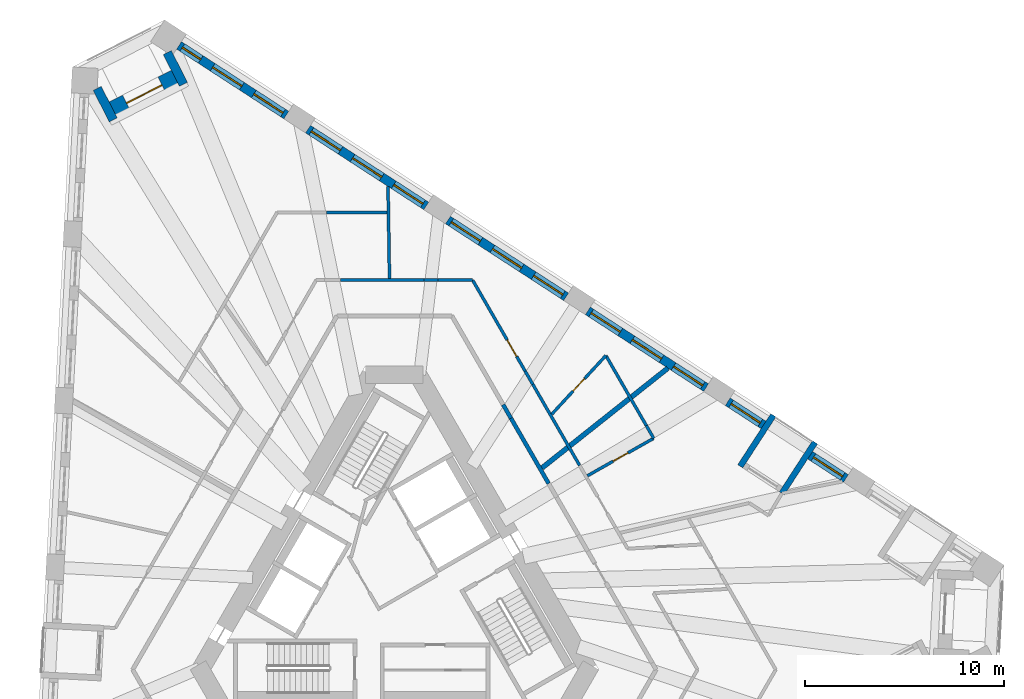
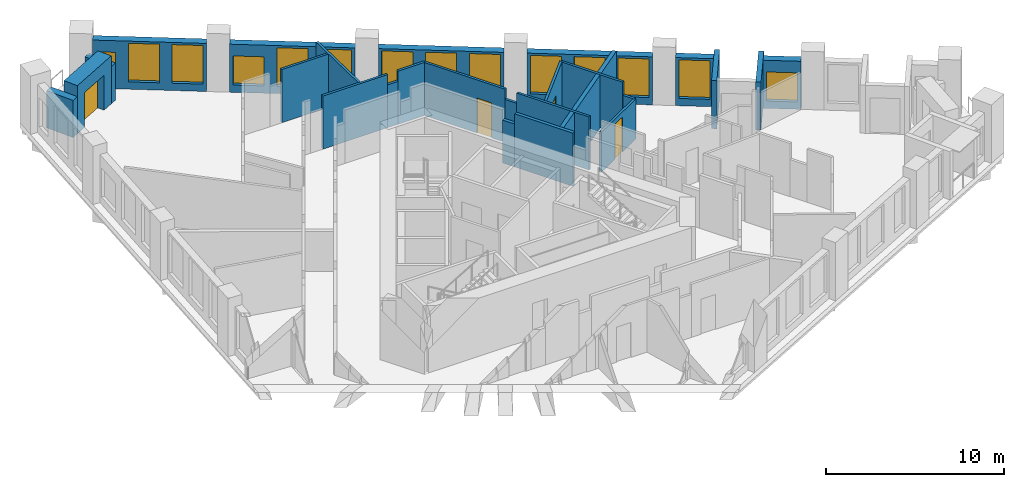
# One storey, part 8 of 13: 26 walls, 14 windows, 4 doors, 18 openings.
"""IFC4 building model written with IfcOpenShell, lengths in metres."""

import ifcopenshell
import ifcopenshell.guid

model = None  # the IFC model being written
_history = None  # IfcOwnerHistory: only IFC2X3 demands one
_inside = {}  # id of a spatial element -> (the spatial element, [elements in it])
_under = {}  # id of a project, library or spatial element -> (it, [spatial elements below it])
_declared = {}  # id of a project -> (the project, [libraries it declares])
_typed = {}  # id of a type object -> (the type object, [elements of that type])
_made_of = {}  # id of a material, layer set ... -> (it, [elements and type objects made of it])


def new_model(schema):
    """Start an empty IFC model of exactly this schema.

    Asked for "IFC4X3", IfcOpenShell would pick the latest addendum, in which some entities
    have other attributes; the version numbers below select the first issue.
    IFC2X3 requires an IfcOwnerHistory on every rooted entity: one is made here for all.
    """
    global model, _history
    if schema == "IFC4X3":
        model = ifcopenshell.file(schema_version=(4, 3, 0, 0))
    else:
        model = ifcopenshell.file(schema=schema)
    _inside.clear()
    _under.clear()
    _declared.clear()
    _typed.clear()
    _made_of.clear()
    _history = None
    if model.schema == "IFC2X3":
        org = make("IfcOrganization", Name="unknown")
        user = make(
            "IfcPersonAndOrganization",
            ThePerson=make("IfcPerson", FamilyName="unknown"),
            TheOrganization=org,
        )
        app = make(
            "IfcApplication",
            ApplicationDeveloper=org,
            Version="unknown",
            ApplicationFullName="unknown",
            ApplicationIdentifier="unknown",
        )
        _history = make(
            "IfcOwnerHistory",
            OwningUser=user,
            OwningApplication=app,
            ChangeAction="ADDED",
            CreationDate=0,
        )
    return model


def make(cls, **values):
    """One entity of the class cls with the attributes given. An attribute that is None is left unset."""
    return model.create_entity(
        cls, **{name: value for name, value in values.items() if value is not None}
    )


def rooted(cls, **values):
    """An entity with a GlobalId (a new one), such as an element, a storey or a relation."""
    return make(cls, GlobalId=ifcopenshell.guid.new(), OwnerHistory=_history, **values)


def si_unit(unit_type, name, prefix=None):
    """IfcSIUnit, for example si_unit("LENGTHUNIT", "METRE", prefix="MILLI")."""
    return make("IfcSIUnit", UnitType=unit_type, Prefix=prefix, Name=name)


def assignment(units):
    """IfcUnitAssignment: the units of a project."""
    return None if units is None else make("IfcUnitAssignment", Units=units)


def point(xyz):
    """IfcCartesianPoint."""
    return None if xyz is None else make("IfcCartesianPoint", Coordinates=xyz)


def direction(xyz):
    """IfcDirection."""
    return None if xyz is None else make("IfcDirection", DirectionRatios=xyz)


def frame(location, z_axis=None, x_axis=None):
    """IfcAxis2Placement3D, a coordinate frame: its origin and axes. An axis left out is left unset."""
    return make(
        "IfcAxis2Placement3D",
        Location=point(location),
        Axis=direction(z_axis),
        RefDirection=direction(x_axis),
    )


def frame_2d(location, x_axis=None):
    """IfcAxis2Placement2D, a coordinate frame in the plane: its origin and x axis."""
    return make(
        "IfcAxis2Placement2D", Location=point(location), RefDirection=direction(x_axis)
    )


def origin():
    """The frame at (0, 0, 0) with its axes left unset."""
    return frame((0.0, 0.0, 0.0))


def place(relative_to, where):
    """IfcLocalPlacement: puts the frame where relative to a parent placement (None: the world)."""
    return make(
        "IfcLocalPlacement", PlacementRelTo=relative_to, RelativePlacement=where
    )


def context(
    kind, dimensions, precision=None, world=None, true_north=None, identifier=None
):
    """IfcGeometricRepresentationContext, for example the 3D "Model" context."""
    return make(
        "IfcGeometricRepresentationContext",
        ContextIdentifier=identifier,
        ContextType=kind,
        CoordinateSpaceDimension=dimensions,
        Precision=precision,
        WorldCoordinateSystem=world,
        TrueNorth=true_north,
    )


def subcontext(parent, identifier, kind, view, scale=None):
    """IfcGeometricRepresentationSubContext, for example "Body" below "Model"."""
    return make(
        "IfcGeometricRepresentationSubContext",
        ContextIdentifier=identifier,
        ContextType=kind,
        ParentContext=parent,
        TargetScale=scale,
        TargetView=view,
    )


def project(units=None, contexts=None):
    """IfcProject with its units and contexts."""
    return rooted(
        "IfcProject",
        Name="project",
        RepresentationContexts=contexts,
        UnitsInContext=assignment(units),
    )


def spatial(cls, under=None, at=None, **own):
    """A site, building, storey or space (cls), placed at a placement, below another one or the project."""
    s = rooted(cls, ObjectPlacement=at, **own)
    if under is not None:
        _under.setdefault(under.id(), (under, []))[1].append(s)
    return s


def profile(cls, at=None, kind="AREA", **sizes):
    """A parametric profile (cls). Its sizes go by their IFC names, for example OverallWidth=200.0."""
    return make(cls, ProfileType=kind, Position=at, **sizes)


def rectangle(**sizes):
    """IfcRectangleProfileDef."""
    return profile("IfcRectangleProfileDef", **sizes)


def extrude(swept, where, along, depth):
    """IfcExtrudedAreaSolid: the profile swept, set in the frame where, extruded along a direction by depth."""
    return make(
        "IfcExtrudedAreaSolid",
        SweptArea=swept,
        Position=where,
        ExtrudedDirection=direction(along),
        Depth=depth,
    )


def shape(context_of_items, identifier, shape_type, items):
    """IfcShapeRepresentation: the items that make up one representation, for example the "Body"."""
    return make(
        "IfcShapeRepresentation",
        ContextOfItems=context_of_items,
        RepresentationIdentifier=identifier,
        RepresentationType=shape_type,
        Items=items,
    )


def material(Name=None, Category=None):
    """IfcMaterial."""
    return make("IfcMaterial", Name=Name, Category=Category)


def layer(
    of_material, thickness, ventilated=None, Name=None, Category=None, Priority=None
):
    """IfcMaterialLayer: one layer of a wall or slab, of a material (None: an air gap)."""
    return make(
        "IfcMaterialLayer",
        Material=of_material,
        LayerThickness=thickness,
        IsVentilated=ventilated,
        Name=Name,
        Category=Category,
        Priority=Priority,
    )


def layer_set(layers, Name=None):
    """IfcMaterialLayerSet."""
    return make("IfcMaterialLayerSet", MaterialLayers=layers, LayerSetName=Name)


def made_of(thing, what):
    """Note that an element or type object is made of a material, layer set ...; save() writes the relation."""
    if what is not None:
        _made_of.setdefault(what.id(), (what, []))[1].append(thing)
    return thing


def type_object(cls, material=None, **own):
    """A type object (cls), such as IfcWallType, which elements share."""
    return made_of(rooted(cls, **own), material)


def element(
    cls,
    number,
    at=None,
    inside=None,
    cuts=None,
    type_object=None,
    material=None,
    context=None,
    identifier="Body",
    shape_type=None,
    held_by="IfcProductDefinitionShape",
    body=None,
    shapes=None,
    **own,
):
    """One element of the class cls, such as IfcWall. Its Tag is "e" and its number.

    at: its placement. inside: the storey or other place that contains it. cuts: it is an
    opening in that element (IfcRelVoidsElement). A single representation is given by context,
    identifier, shape_type and body (its items); several are given by shapes. held_by: the class
    of the entity that holds the representations. save() writes the other relations.
    """
    e = rooted(cls, Tag="e%d" % number, ObjectPlacement=at, **own)
    if body is not None:
        shapes = [shape(context, identifier, shape_type, body)]
    if shapes is not None:
        e.Representation = make(held_by, Representations=shapes)
    if inside is not None:
        _inside.setdefault(inside.id(), (inside, []))[1].append(e)
    if cuts is not None:
        rooted(
            "IfcRelVoidsElement", RelatingBuildingElement=cuts, RelatedOpeningElement=e
        )
    if type_object is not None:
        _typed.setdefault(type_object.id(), (type_object, []))[1].append(e)
    return made_of(e, material)


def fill(opening, filler):
    """IfcRelFillsElement: the door or window that sits in an opening."""
    return rooted(
        "IfcRelFillsElement",
        RelatingOpeningElement=opening,
        RelatedBuildingElement=filler,
    )


def aggregate(whole, parts):
    """IfcRelAggregates: a whole, such as a stair, and the parts it consists of."""
    return rooted("IfcRelAggregates", RelatingObject=whole, RelatedObjects=parts)


def save(model, path):
    """Write the relations noted so far, then the file.

    IfcRelAggregates (storeys below a building ...), IfcRelContainedInSpatialStructure (elements
    in a storey), IfcRelDefinesByType, IfcRelAssociatesMaterial and IfcRelDeclares: one each for
    every whole, place, type object, material and project.
    """
    for whole, parts in _under.values():
        aggregate(whole, parts)
    for where, things in _inside.values():
        rooted(
            "IfcRelContainedInSpatialStructure",
            RelatedElements=things,
            RelatingStructure=where,
        )
    for kind, things in _typed.values():
        rooted("IfcRelDefinesByType", RelatedObjects=things, RelatingType=kind)
    for what, things in _made_of.values():
        rooted("IfcRelAssociatesMaterial", RelatedObjects=things, RelatingMaterial=what)
    for by, libraries in _declared.values():
        rooted("IfcRelDeclares", RelatingContext=by, RelatedDefinitions=libraries)
    model.write(path)


model = new_model("IFC4")

# Units and contexts
model_context = context("Model", 3, precision=1e-05, world=origin(), true_north=direction((0.0, 1.0)))
body_context = subcontext(model_context, "Body", "Model", "MODEL_VIEW")
ifc_project = project(units=[si_unit("LENGTHUNIT", "METRE"), si_unit("AREAUNIT", "SQUARE_METRE"), si_unit("VOLUMEUNIT", "CUBIC_METRE"), si_unit("PLANEANGLEUNIT", "RADIAN"), si_unit("MASSUNIT", "GRAM", prefix="KILO")], contexts=[model_context])

# Site, building, storey
site_placement = place(None, origin())
site = spatial("IfcSite", under=ifc_project, at=site_placement, CompositionType="ELEMENT")
building_placement = place(site_placement, origin())
building = spatial("IfcBuilding", under=site, at=building_placement, Name="Tramontana Tower", CompositionType="ELEMENT")
storey_placement = place(building_placement, frame((0.0, 0.0, 153.60009765625)))
storey = spatial("IfcBuildingStorey", under=building, at=storey_placement, Name="L35", CompositionType="ELEMENT", Elevation=153.60009765625)

# Walls
ifc_material_1 = material(Name="Blockwork", Category="masonry")
ifc_layer_1 = layer(ifc_material_1, 0.199951171875)
ifc_layer_set_1 = layer_set([ifc_layer_1], Name="ENTRY WALL 200")
wall_type_1 = type_object("IfcWallType", Name="ENTRY WALL 200", PredefinedType="SOLIDWALL", material=ifc_layer_set_1)
wall_1_placement = place(storey_placement, frame((5.457763671875, 9.046875, 0.0), z_axis=(0.0, 0.0, 1.0), x_axis=(0.499982474044, -0.866035522163, 0.0)))
element("IfcWall", 1, at=wall_1_placement, inside=storey, type_object=wall_type_1, Name="Wall v32-ew0-1", PredefinedType="SOLIDWALL", context=body_context, shape_type="SweptSolid", body=[
    extrude(rectangle(XDim=0.78564453125, YDim=0.199951171875, at=frame_2d((0.392822265625, 0.0))), origin(), (0.0, 0.0, 1.0), 2.949951171875),
])
wall_2_placement = place(storey_placement, frame((5.8505859375, 8.366455078125, 0.0), z_axis=(0.0, 0.0, 1.0), x_axis=(0.499998034377, -0.866026538634, 0.0)))
element("IfcWall", 2, at=wall_2_placement, inside=storey, type_object=wall_type_1, Name="Wall v32-ew0-2", PredefinedType="SOLIDWALL", context=body_context, shape_type="SweptSolid", body=[
    extrude(rectangle(XDim=3.783203125, YDim=0.199951171875, at=frame_2d((1.8916015625, 0.0))), origin(), (0.0, 0.0, 1.0), 3.64990234375),
])

# Wall, opening, window
ifc_material_2 = material(Name="Precast concrete 60 MPa", Category="concrete")
ifc_layer_2 = layer(ifc_material_2, 0.449951171875)
ifc_layer_set_2 = layer_set([ifc_layer_2], Name="Precast concrete 60 MPa, 450 mm")
wall_type_2 = type_object("IfcWallType", Name="EW1 Stone-faced precast wall 450", PredefinedType="SOLIDWALL", material=ifc_layer_set_2)
wall_3_placement = place(storey_placement, frame((22.660400390625, 5.345703125, 0.0), z_axis=(0.0, 0.0, 1.0), x_axis=(-0.838675466927, 0.544631491171, 0.0)))
wall_3 = element("IfcWall", 3, at=wall_3_placement, inside=storey, type_object=wall_type_2, Name="External wall L35 face 2 bay 2", PredefinedType="SOLIDWALL", context=body_context, shape_type="SweptSolid", body=[
    extrude(rectangle(XDim=2.140380859375, YDim=0.449951171875, at=frame_2d((1.0703125, 0.0))), origin(), (0.0, 0.0, 1.0), 3.2998046875),
])
opening_1_placement = place(wall_3_placement, frame((0.1953125, 0.0, 0.5)))
opening_1 = element("IfcOpeningElement", 4, at=opening_1_placement, cuts=wall_3, Name="Opening M2L", PredefinedType="OPENING", context=body_context, shape_type="SweptSolid", body=[
    extrude(rectangle(XDim=1.75, YDim=2.0, at=frame_2d((0.875, 1.0))), frame((0.0, 0.23486328125, 0.0), z_axis=(0.0, -1.0, 0.0), x_axis=(1.0, 0.0, 0.0)), (0.0, 0.0, 1.0), 0.469970703125),
])
ifc_material_3 = material(Name="Aluminum frame, double glazing unit", Category="aluminium")
window_type_1 = type_object("IfcWindowType", Name="M2L Window 1.75 x 2", PartitioningType="SINGLE_PANEL", PredefinedType="WINDOW", material=ifc_material_3)
window_1_placement = place(opening_1_placement, origin())
window_1 = element("IfcWindow", 5, at=window_1_placement, inside=storey, type_object=window_type_1, Name="Window M2L L35 face 2 module 4", OverallHeight=2.0, OverallWidth=1.75, PartitioningType="SINGLE_PANEL", PredefinedType="WINDOW", context=body_context, shape_type="SweptSolid", body=[
    extrude(rectangle(XDim=1.75, YDim=2.0, at=frame_2d((0.875, 1.0))), frame((0.0, 0.030029296875, 0.0), z_axis=(0.0, -1.0, 0.0), x_axis=(1.0, 0.0, 0.0)), (0.0, 0.0, 1.0), 0.06005859375),
])
fill(opening_1, window_1)

wall_4_placement = place(storey_placement, frame((18.52490234375, 8.03125, 0.0), z_axis=(0.0, 0.0, 1.0), x_axis=(-0.838675466927, 0.544631491171, 0.0)))
wall_4 = element("IfcWall", 6, at=wall_4_placement, inside=storey, type_object=wall_type_2, Name="External wall L35 face 2 bay 2", PredefinedType="SOLIDWALL", context=body_context, shape_type="SweptSolid", body=[
    extrude(rectangle(XDim=2.140380859375, YDim=0.449951171875, at=frame_2d((1.0703125, 0.0))), origin(), (0.0, 0.0, 1.0), 3.2998046875),
])
opening_2_placement = place(wall_4_placement, frame((0.1953125, 0.0, 0.5)))
opening_2 = element("IfcOpeningElement", 7, at=opening_2_placement, cuts=wall_4, Name="Opening M2", PredefinedType="OPENING", context=body_context, shape_type="SweptSolid", body=[
    extrude(rectangle(XDim=1.75, YDim=2.64990234375, at=frame_2d((0.875, 1.324951171875))), frame((0.0, 0.23486328125, 0.0), z_axis=(0.0, -1.0, 0.0), x_axis=(1.0, 0.0, 0.0)), (0.0, 0.0, 1.0), 0.469970703125),
])
ifc_material_4 = material(Name="Aluminum frame, double glazing unit", Category="aluminium")
window_type_2 = type_object("IfcWindowType", Name="M2 Window 1.75 x 2.65", PartitioningType="SINGLE_PANEL", PredefinedType="WINDOW", material=ifc_material_4)
window_2_placement = place(opening_2_placement, origin())
window_2 = element("IfcWindow", 8, at=window_2_placement, inside=storey, type_object=window_type_2, Name="Window M2 L35 face 2 module 6", OverallHeight=2.64990234375, OverallWidth=1.75, PartitioningType="SINGLE_PANEL", PredefinedType="WINDOW", context=body_context, shape_type="SweptSolid", body=[
    extrude(rectangle(XDim=1.75, YDim=2.64990234375, at=frame_2d((0.875, 1.324951171875))), frame((0.0, 0.030029296875, 0.0), z_axis=(0.0, -1.0, 0.0), x_axis=(1.0, 0.0, 0.0)), (0.0, 0.0, 1.0), 0.06005859375),
])
fill(opening_2, window_2)

# Wall, openings, windows
wall_5_placement = place(storey_placement, frame((15.639404296875, 9.9052734375, 0.0), z_axis=(0.0, 0.0, 1.0), x_axis=(-0.838677021821, 0.54462909679, 0.0)))
wall_5 = element("IfcWall", 9, at=wall_5_placement, inside=storey, type_object=wall_type_2, Name="External wall L35 face 2 bay 3", PredefinedType="SOLIDWALL", context=body_context, shape_type="SweptSolid", body=[
    extrude(rectangle(XDim=7.071533203125, YDim=0.449951171875, at=frame_2d((3.53564453125, 0.0))), origin(), (0.0, 0.0, 1.0), 3.2998046875),
])
opening_3_placement = place(wall_5_placement, frame((0.1953125, 0.0, 0.5)))
opening_3 = element("IfcOpeningElement", 10, at=opening_3_placement, cuts=wall_5, Name="Opening M2", PredefinedType="OPENING", context=body_context, shape_type="SweptSolid", body=[
    extrude(rectangle(XDim=1.75, YDim=2.64990234375, at=frame_2d((0.875, 1.324951171875))), frame((0.0, 0.23486328125, 0.0), z_axis=(0.0, -1.0, 0.0), x_axis=(1.0, 0.0, 0.0)), (0.0, 0.0, 1.0), 0.469970703125),
])
opening_4_placement = place(wall_5_placement, frame((2.660888671875, 0.0, 0.5)))
opening_4 = element("IfcOpeningElement", 11, at=opening_4_placement, cuts=wall_5, Name="Opening M2", PredefinedType="OPENING", context=body_context, shape_type="SweptSolid", body=[
    extrude(rectangle(XDim=1.75, YDim=2.64990234375, at=frame_2d((0.875, 1.324951171875))), frame((0.0, 0.23486328125, 0.0), z_axis=(0.0, -1.0, 0.0), x_axis=(1.0, 0.0, 0.0)), (0.0, 0.0, 1.0), 0.469970703125),
])
opening_5_placement = place(wall_5_placement, frame((5.126220703125, 0.0, 0.5)))
opening_5 = element("IfcOpeningElement", 12, at=opening_5_placement, cuts=wall_5, Name="Opening M2", PredefinedType="OPENING", context=body_context, shape_type="SweptSolid", body=[
    extrude(rectangle(XDim=1.75, YDim=2.64990234375, at=frame_2d((0.875, 1.324951171875))), frame((0.0, 0.23486328125, 0.0), z_axis=(0.0, -1.0, 0.0), x_axis=(1.0, 0.0, 0.0)), (0.0, 0.0, 1.0), 0.469970703125),
])
window_3_placement = place(opening_3_placement, origin())
window_3 = element("IfcWindow", 13, at=window_3_placement, inside=storey, type_object=window_type_2, Name="Window M2 L35 face 2 module 7", OverallHeight=2.64990234375, OverallWidth=1.75, PartitioningType="SINGLE_PANEL", PredefinedType="WINDOW", context=body_context, shape_type="SweptSolid", body=[
    extrude(rectangle(XDim=1.75, YDim=2.64990234375, at=frame_2d((0.875, 1.324951171875))), frame((0.0, 0.030029296875, 0.0), z_axis=(0.0, -1.0, 0.0), x_axis=(1.0, 0.0, 0.0)), (0.0, 0.0, 1.0), 0.06005859375),
])
fill(opening_3, window_3)
window_4_placement = place(opening_4_placement, origin())
window_4 = element("IfcWindow", 14, at=window_4_placement, inside=storey, type_object=window_type_2, Name="Window M2 L35 face 2 module 8", OverallHeight=2.64990234375, OverallWidth=1.75, PartitioningType="SINGLE_PANEL", PredefinedType="WINDOW", context=body_context, shape_type="SweptSolid", body=[
    extrude(rectangle(XDim=1.75, YDim=2.64990234375, at=frame_2d((0.875, 1.324951171875))), frame((0.0, 0.030029296875, 0.0), z_axis=(0.0, -1.0, 0.0), x_axis=(1.0, 0.0, 0.0)), (0.0, 0.0, 1.0), 0.06005859375),
])
fill(opening_4, window_4)
window_5_placement = place(opening_5_placement, origin())
window_5 = element("IfcWindow", 15, at=window_5_placement, inside=storey, type_object=window_type_2, Name="Window M2 L35 face 2 module 9", OverallHeight=2.64990234375, OverallWidth=1.75, PartitioningType="SINGLE_PANEL", PredefinedType="WINDOW", context=body_context, shape_type="SweptSolid", body=[
    extrude(rectangle(XDim=1.75, YDim=2.64990234375, at=frame_2d((0.875, 1.324951171875))), frame((0.0, 0.030029296875, 0.0), z_axis=(0.0, -1.0, 0.0), x_axis=(1.0, 0.0, 0.0)), (0.0, 0.0, 1.0), 0.06005859375),
])
fill(opening_5, window_5)

wall_6_placement = place(storey_placement, frame((8.618408203125, 14.464599609375, 0.0), z_axis=(0.0, 0.0, 1.0), x_axis=(-0.838661251934, 0.544653380146, 0.0)))
wall_6 = element("IfcWall", 16, at=wall_6_placement, inside=storey, type_object=wall_type_2, Name="External wall L35 face 2 bay 4", PredefinedType="SOLIDWALL", context=body_context, shape_type="SweptSolid", body=[
    extrude(rectangle(XDim=7.071533203125, YDim=0.449951171875, at=frame_2d((3.53564453125, 0.0))), origin(), (0.0, 0.0, 1.0), 3.2998046875),
])
opening_6_placement = place(wall_6_placement, frame((0.1953125, 0.0, 0.5)))
opening_6 = element("IfcOpeningElement", 17, at=opening_6_placement, cuts=wall_6, Name="Opening M2", PredefinedType="OPENING", context=body_context, shape_type="SweptSolid", body=[
    extrude(rectangle(XDim=1.75, YDim=2.64990234375, at=frame_2d((0.875, 1.324951171875))), frame((0.0, 0.23486328125, 0.0), z_axis=(0.0, -1.0, 0.0), x_axis=(1.0, 0.0, 0.0)), (0.0, 0.0, 1.0), 0.469970703125),
])
opening_7_placement = place(wall_6_placement, frame((2.660888671875, 0.0, 0.5)))
opening_7 = element("IfcOpeningElement", 18, at=opening_7_placement, cuts=wall_6, Name="Opening M2", PredefinedType="OPENING", context=body_context, shape_type="SweptSolid", body=[
    extrude(rectangle(XDim=1.75, YDim=2.64990234375, at=frame_2d((0.875, 1.324951171875))), frame((0.0, 0.23486328125, 0.0), z_axis=(0.0, -1.0, 0.0), x_axis=(1.0, 0.0, 0.0)), (0.0, 0.0, 1.0), 0.469970703125),
])
opening_8_placement = place(wall_6_placement, frame((5.126220703125, 0.0, 0.5)))
opening_8 = element("IfcOpeningElement", 19, at=opening_8_placement, cuts=wall_6, Name="Opening M2", PredefinedType="OPENING", context=body_context, shape_type="SweptSolid", body=[
    extrude(rectangle(XDim=1.75, YDim=2.64990234375, at=frame_2d((0.875, 1.324951171875))), frame((0.0, 0.23486328125, 0.0), z_axis=(0.0, -1.0, 0.0), x_axis=(1.0, 0.0, 0.0)), (0.0, 0.0, 1.0), 0.469970703125),
])
window_6_placement = place(opening_6_placement, origin())
window_6 = element("IfcWindow", 20, at=window_6_placement, inside=storey, type_object=window_type_2, Name="Window M2 L35 face 2 module 10", OverallHeight=2.64990234375, OverallWidth=1.75, PartitioningType="SINGLE_PANEL", PredefinedType="WINDOW", context=body_context, shape_type="SweptSolid", body=[
    extrude(rectangle(XDim=1.75, YDim=2.64990234375, at=frame_2d((0.875, 1.324951171875))), frame((0.0, 0.030029296875, 0.0), z_axis=(0.0, -1.0, 0.0), x_axis=(1.0, 0.0, 0.0)), (0.0, 0.0, 1.0), 0.06005859375),
])
fill(opening_6, window_6)
window_7_placement = place(opening_7_placement, origin())
window_7 = element("IfcWindow", 21, at=window_7_placement, inside=storey, type_object=window_type_2, Name="Window M2 L35 face 2 module 11", OverallHeight=2.64990234375, OverallWidth=1.75, PartitioningType="SINGLE_PANEL", PredefinedType="WINDOW", context=body_context, shape_type="SweptSolid", body=[
    extrude(rectangle(XDim=1.75, YDim=2.64990234375, at=frame_2d((0.875, 1.324951171875))), frame((0.0, 0.030029296875, 0.0), z_axis=(0.0, -1.0, 0.0), x_axis=(1.0, 0.0, 0.0)), (0.0, 0.0, 1.0), 0.06005859375),
])
fill(opening_7, window_7)
window_8_placement = place(opening_8_placement, origin())
window_8 = element("IfcWindow", 22, at=window_8_placement, inside=storey, type_object=window_type_2, Name="Window M2 L35 face 2 module 12", OverallHeight=2.64990234375, OverallWidth=1.75, PartitioningType="SINGLE_PANEL", PredefinedType="WINDOW", context=body_context, shape_type="SweptSolid", body=[
    extrude(rectangle(XDim=1.75, YDim=2.64990234375, at=frame_2d((0.875, 1.324951171875))), frame((0.0, 0.030029296875, 0.0), z_axis=(0.0, -1.0, 0.0), x_axis=(1.0, 0.0, 0.0)), (0.0, 0.0, 1.0), 0.06005859375),
])
fill(opening_8, window_8)

wall_7_placement = place(storey_placement, frame((1.597412109375, 19.024169921875, 0.0), z_axis=(0.0, 0.0, 1.0), x_axis=(-0.838677021821, 0.54462909679, 0.0)))
wall_7 = element("IfcWall", 23, at=wall_7_placement, inside=storey, type_object=wall_type_2, Name="External wall L35 face 2 bay 5", PredefinedType="SOLIDWALL", context=body_context, shape_type="SweptSolid", body=[
    extrude(rectangle(XDim=7.071533203125, YDim=0.449951171875, at=frame_2d((3.53564453125, 0.0))), origin(), (0.0, 0.0, 1.0), 3.2998046875),
])
opening_9_placement = place(wall_7_placement, frame((0.1953125, 0.0, 0.5)))
opening_9 = element("IfcOpeningElement", 24, at=opening_9_placement, cuts=wall_7, Name="Opening M2", PredefinedType="OPENING", context=body_context, shape_type="SweptSolid", body=[
    extrude(rectangle(XDim=1.75, YDim=2.64990234375, at=frame_2d((0.875, 1.324951171875))), frame((0.0, 0.23486328125, 0.0), z_axis=(0.0, -1.0, 0.0), x_axis=(1.0, 0.0, 0.0)), (0.0, 0.0, 1.0), 0.469970703125),
])
opening_10_placement = place(wall_7_placement, frame((2.660888671875, 0.0, 0.5)))
opening_10 = element("IfcOpeningElement", 25, at=opening_10_placement, cuts=wall_7, Name="Opening M2", PredefinedType="OPENING", context=body_context, shape_type="SweptSolid", body=[
    extrude(rectangle(XDim=1.75, YDim=2.64990234375, at=frame_2d((0.875, 1.324951171875))), frame((0.0, 0.23486328125, 0.0), z_axis=(0.0, -1.0, 0.0), x_axis=(1.0, 0.0, 0.0)), (0.0, 0.0, 1.0), 0.469970703125),
])
opening_11_placement = place(wall_7_placement, frame((5.126220703125, 0.0, 0.5)))
opening_11 = element("IfcOpeningElement", 26, at=opening_11_placement, cuts=wall_7, Name="Opening M2L", PredefinedType="OPENING", context=body_context, shape_type="SweptSolid", body=[
    extrude(rectangle(XDim=1.75, YDim=2.0, at=frame_2d((0.875, 1.0))), frame((0.0, 0.23486328125, 0.0), z_axis=(0.0, -1.0, 0.0), x_axis=(1.0, 0.0, 0.0)), (0.0, 0.0, 1.0), 0.469970703125),
])
window_9_placement = place(opening_9_placement, origin())
window_9 = element("IfcWindow", 27, at=window_9_placement, inside=storey, type_object=window_type_2, Name="Window M2 L35 face 2 module 13", OverallHeight=2.64990234375, OverallWidth=1.75, PartitioningType="SINGLE_PANEL", PredefinedType="WINDOW", context=body_context, shape_type="SweptSolid", body=[
    extrude(rectangle(XDim=1.75, YDim=2.64990234375, at=frame_2d((0.875, 1.324951171875))), frame((0.0, 0.030029296875, 0.0), z_axis=(0.0, -1.0, 0.0), x_axis=(1.0, 0.0, 0.0)), (0.0, 0.0, 1.0), 0.06005859375),
])
fill(opening_9, window_9)
window_10_placement = place(opening_10_placement, origin())
window_10 = element("IfcWindow", 28, at=window_10_placement, inside=storey, type_object=window_type_2, Name="Window M2 L35 face 2 module 14", OverallHeight=2.64990234375, OverallWidth=1.75, PartitioningType="SINGLE_PANEL", PredefinedType="WINDOW", context=body_context, shape_type="SweptSolid", body=[
    extrude(rectangle(XDim=1.75, YDim=2.64990234375, at=frame_2d((0.875, 1.324951171875))), frame((0.0, 0.030029296875, 0.0), z_axis=(0.0, -1.0, 0.0), x_axis=(1.0, 0.0, 0.0)), (0.0, 0.0, 1.0), 0.06005859375),
])
fill(opening_10, window_10)
window_11_placement = place(opening_11_placement, origin())
window_11 = element("IfcWindow", 29, at=window_11_placement, inside=storey, type_object=window_type_1, Name="Window M2L L35 face 2 module 15", OverallHeight=2.0, OverallWidth=1.75, PartitioningType="SINGLE_PANEL", PredefinedType="WINDOW", context=body_context, shape_type="SweptSolid", body=[
    extrude(rectangle(XDim=1.75, YDim=2.0, at=frame_2d((0.875, 1.0))), frame((0.0, 0.030029296875, 0.0), z_axis=(0.0, -1.0, 0.0), x_axis=(1.0, 0.0, 0.0)), (0.0, 0.0, 1.0), 0.06005859375),
])
fill(opening_11, window_11)

wall_8_placement = place(storey_placement, frame((-5.423583984375, 23.583740234375, 0.0), z_axis=(0.0, 0.0, 1.0), x_axis=(-0.838675466927, 0.544631491171, 0.0)))
wall_8 = element("IfcWall", 30, at=wall_8_placement, inside=storey, type_object=wall_type_2, Name="External wall L35 face 2 bay 6", PredefinedType="SOLIDWALL", context=body_context, shape_type="SweptSolid", body=[
    extrude(rectangle(XDim=6.42138671875, YDim=0.449951171875, at=frame_2d((3.210693359375, 0.0))), origin(), (0.0, 0.0, 1.0), 3.2998046875),
])
opening_12_placement = place(wall_8_placement, frame((0.1953125, 0.0, 0.5)))
opening_12 = element("IfcOpeningElement", 31, at=opening_12_placement, cuts=wall_8, Name="Opening M2", PredefinedType="OPENING", context=body_context, shape_type="SweptSolid", body=[
    extrude(rectangle(XDim=1.75, YDim=2.64990234375, at=frame_2d((0.875, 1.324951171875))), frame((0.0, 0.23486328125, 0.0), z_axis=(0.0, -1.0, 0.0), x_axis=(1.0, 0.0, 0.0)), (0.0, 0.0, 1.0), 0.469970703125),
])
opening_13_placement = place(wall_8_placement, frame((2.660888671875, 0.0, 0.5)))
opening_13 = element("IfcOpeningElement", 32, at=opening_13_placement, cuts=wall_8, Name="Opening M2", PredefinedType="OPENING", context=body_context, shape_type="SweptSolid", body=[
    extrude(rectangle(XDim=1.75, YDim=2.64990234375, at=frame_2d((0.875, 1.324951171875))), frame((0.0, 0.23486328125, 0.0), z_axis=(0.0, -1.0, 0.0), x_axis=(1.0, 0.0, 0.0)), (0.0, 0.0, 1.0), 0.469970703125),
])
opening_14_placement = place(wall_8_placement, frame((5.126220703125, 0.0, 0.5)))
opening_14 = element("IfcOpeningElement", 33, at=opening_14_placement, cuts=wall_8, Name="Opening N2L", PredefinedType="OPENING", context=body_context, shape_type="SweptSolid", body=[
    extrude(rectangle(XDim=1.10009765625, YDim=2.0, at=frame_2d((0.550048828125, 1.0))), frame((0.0, 0.23486328125, 0.0), z_axis=(0.0, -1.0, 0.0), x_axis=(1.0, 0.0, 0.0)), (0.0, 0.0, 1.0), 0.469970703125),
])
window_12_placement = place(opening_12_placement, origin())
window_12 = element("IfcWindow", 34, at=window_12_placement, inside=storey, type_object=window_type_2, Name="Window M2 L35 face 2 module 16", OverallHeight=2.64990234375, OverallWidth=1.75, PartitioningType="SINGLE_PANEL", PredefinedType="WINDOW", context=body_context, shape_type="SweptSolid", body=[
    extrude(rectangle(XDim=1.75, YDim=2.64990234375, at=frame_2d((0.875, 1.324951171875))), frame((0.0, 0.030029296875, 0.0), z_axis=(0.0, -1.0, 0.0), x_axis=(1.0, 0.0, 0.0)), (0.0, 0.0, 1.0), 0.06005859375),
])
fill(opening_12, window_12)
window_13_placement = place(opening_13_placement, origin())
window_13 = element("IfcWindow", 35, at=window_13_placement, inside=storey, type_object=window_type_2, Name="Window M2 L35 face 2 module 17", OverallHeight=2.64990234375, OverallWidth=1.75, PartitioningType="SINGLE_PANEL", PredefinedType="WINDOW", context=body_context, shape_type="SweptSolid", body=[
    extrude(rectangle(XDim=1.75, YDim=2.64990234375, at=frame_2d((0.875, 1.324951171875))), frame((0.0, 0.030029296875, 0.0), z_axis=(0.0, -1.0, 0.0), x_axis=(1.0, 0.0, 0.0)), (0.0, 0.0, 1.0), 0.06005859375),
])
fill(opening_13, window_13)
ifc_material_5 = material(Name="Aluminum frame, double glazing unit", Category="aluminium")
window_type_3 = type_object("IfcWindowType", Name="N2L Window 1.1 x 2", PartitioningType="SINGLE_PANEL", PredefinedType="WINDOW", material=ifc_material_5)
window_14_placement = place(opening_14_placement, origin())
window_14 = element("IfcWindow", 36, at=window_14_placement, inside=storey, type_object=window_type_3, Name="Window N2L L35 face 2 module 18", OverallHeight=2.0, OverallWidth=1.10009765625, PartitioningType="SINGLE_PANEL", PredefinedType="WINDOW", context=body_context, shape_type="SweptSolid", body=[
    extrude(rectangle(XDim=1.10009765625, YDim=2.0, at=frame_2d((0.550048828125, 1.0))), frame((0.0, 0.030029296875, 0.0), z_axis=(0.0, -1.0, 0.0), x_axis=(1.0, 0.0, 0.0)), (0.0, 0.0, 1.0), 0.06005859375),
])
fill(opening_14, window_14)

# Walls
for number, where, z_axis, x_axis, name in (
    (37, (-14.916015625, 24.924072265625, 0.0), (0.0, 0.0, 1.0), (0.453952505513, -0.891025882193, 0.0), "Corner loggia side wall L35 K30l"),
    (38, (-11.396484375, 26.71728515625, 0.0), (0.0, 0.0, 1.0), (0.453952505513, -0.891025882193, 0.0), "Corner loggia side wall L35 K30r"),
):
    element("IfcWall", number, at=place(storey_placement, frame(where, z_axis=z_axis, x_axis=x_axis)), inside=storey, type_object=wall_type_2, Name=name, PredefinedType="SOLIDWALL", context=body_context, shape_type="SweptSolid", body=[
        extrude(rectangle(XDim=1.779052734375, YDim=0.449951171875, at=frame_2d((0.8896484375, 0.0))), origin(), (0.0, 0.0, 1.0), 2.5498046875),
    ])

# Wall, opening, door
ifc_material_6 = material(Name="Precast concrete 60 MPa", Category="concrete")
ifc_layer_3 = layer(ifc_material_6, 0.89990234375)
ifc_layer_set_3 = layer_set([ifc_layer_3], Name="EW2 Stone-faced corner loggia wall 900")
wall_type_3 = type_object("IfcWallType", Name="EW2 Stone-faced corner loggia wall 900", PredefinedType="SOLIDWALL", material=ifc_layer_set_3)
wall_9_placement = place(storey_placement, frame((-14.112060546875, 23.841796875, 0.0), z_axis=(0.0, 0.0, 1.0), x_axis=(0.890983062796, 0.454036542374, 0.0)))
wall_9 = element("IfcWall", 39, at=wall_9_placement, inside=storey, type_object=wall_type_3, Name="Corner loggia wall L35 K30", PredefinedType="SOLIDWALL", context=body_context, shape_type="SweptSolid", body=[
    extrude(rectangle(XDim=3.5, YDim=0.89990234375, at=frame_2d((1.75, 0.0))), origin(), (0.0, 0.0, 1.0), 3.2998046875),
])
opening_15_placement = place(wall_9_placement, frame((0.75, 0.0, 0.0)))
opening_15 = element("IfcOpeningElement", 40, at=opening_15_placement, cuts=wall_9, Name="Opening BD-30C", PredefinedType="OPENING", context=body_context, shape_type="SweptSolid", body=[
    extrude(rectangle(XDim=2.0, YDim=2.39990234375, at=frame_2d((1.0, 1.199951171875))), frame((0.0, 0.4599609375, 0.0), z_axis=(0.0, -1.0, 0.0), x_axis=(1.0, 0.0, 0.0)), (0.0, 0.0, 1.0), 0.919921875),
])
ifc_material_7 = material(Name="Aluminum frame, double glazing unit", Category="aluminium")
door_type_1 = type_object("IfcDoorType", Name="BC1 Sliding door 2 x 2.4", OperationType="SLIDING_TO_LEFT", PredefinedType="DOOR", material=ifc_material_7)
door_1_placement = place(opening_15_placement, origin())
door_1 = element("IfcDoor", 41, at=door_1_placement, inside=storey, type_object=door_type_1, Name="Corner loggia door L35 K30", OperationType="SLIDING_TO_LEFT", OverallHeight=2.39990234375, OverallWidth=2.0, PredefinedType="DOOR", context=body_context, shape_type="SweptSolid", body=[
    extrude(rectangle(XDim=2.0, YDim=2.39990234375, at=frame_2d((1.0, 1.199951171875))), frame((0.0, 0.02490234375, 0.0), z_axis=(0.0, -1.0, 0.0), x_axis=(1.0, 0.0, 0.0)), (0.0, 0.0, 1.0), 0.050048828125),
])
fill(opening_15, door_1)

# Walls
ifc_material_8 = material(Name="Precast concrete 60 MPa", Category="concrete")
ifc_layer_4 = layer(ifc_material_8, 0.300048828125)
ifc_layer_set_4 = layer_set([ifc_layer_4], Name="LW1 Stone-faced loggia wall 300")
wall_type_4 = type_object("IfcWallType", Name="LW1 Stone-faced loggia wall 300", PredefinedType="SOLIDWALL", material=ifc_layer_set_4)
for number, where, z_axis, x_axis, name in (
    (42, (21.10693359375, 7.1591796875, 0.0), (0.0, 0.0, 1.0), (-0.544647854685, -0.838664840319, 0.0), "Loggia return L35 G3S2.4a"),
    (43, (19.018310546875, 8.515625, 0.0), (0.0, 0.0, 1.0), (-0.544647854685, -0.838664840319, 0.0), "Loggia return L35 G3S2.4b"),
):
    element("IfcWall", number, at=place(storey_placement, frame(where, z_axis=z_axis, x_axis=x_axis)), inside=storey, type_object=wall_type_4, Name=name, PredefinedType="SOLIDWALL", context=body_context, shape_type="SweptSolid", body=[
        extrude(rectangle(XDim=3.0498046875, YDim=0.300048828125, at=frame_2d((1.52490234375, 0.0))), origin(), (0.0, 0.0, 1.0), 3.2998046875),
    ])
ifc_material_9 = material(Name="Gypsum board partition")
ifc_layer_5 = layer(ifc_material_9, 0.14990234375)
ifc_layer_set_5 = layer_set([ifc_layer_5], Name="PARTITION 150")
wall_type_5 = type_object("IfcWallType", Name="PARTITION 150", PredefinedType="PARTITIONING", material=ifc_layer_set_5)
wall_10_placement = place(storey_placement, frame((-3.40234375, 18.699951171875, 0.0), z_axis=(0.0, 0.0, 1.0), x_axis=(1.0, 0.0, 0.0)))
element("IfcWall", 44, at=wall_10_placement, inside=storey, type_object=wall_type_5, Name="Wall v32-pw13-2", PredefinedType="PARTITIONING", context=body_context, shape_type="SweptSolid", body=[
    extrude(rectangle(XDim=3.02783203125, YDim=0.14990234375, at=frame_2d((1.513916015625, 0.0))), origin(), (0.0, 0.0, 1.0), 3.64990234375),
])
wall_11_placement = place(storey_placement, frame((-2.711669921875, 15.300048828125, 0.0), z_axis=(0.0, 0.0, 1.0), x_axis=(1.0, 0.0, 0.0)))
element("IfcWall", 45, at=wall_11_placement, inside=storey, type_object=wall_type_5, Name="Wall v32-pw14-2", PredefinedType="PARTITIONING", context=body_context, shape_type="SweptSolid", body=[
    extrude(rectangle(XDim=4.20947265625, YDim=0.14990234375, at=frame_2d((2.104736328125, 0.0))), origin(), (0.0, 0.0, 1.0), 3.64990234375),
])
wall_12_placement = place(storey_placement, frame((1.497802734375, 15.300048828125, 0.0), z_axis=(0.0, 0.0, 1.0), x_axis=(1.0, 0.0, 0.0)))
element("IfcWall", 46, at=wall_12_placement, inside=storey, type_object=wall_type_5, Name="Wall v32-pw14-3", PredefinedType="PARTITIONING", context=body_context, shape_type="SweptSolid", body=[
    extrude(rectangle(XDim=0.6796875, YDim=0.14990234375, at=frame_2d((0.33984375, 0.0))), origin(), (0.0, 0.0, 1.0), 2.949951171875),
])
wall_13_placement = place(storey_placement, frame((2.177490234375, 15.300048828125, 0.0), z_axis=(0.0, 0.0, 1.0), x_axis=(1.0, 0.0, 0.0)))
element("IfcWall", 47, at=wall_13_placement, inside=storey, type_object=wall_type_5, Name="Wall v32-pw14-4", PredefinedType="PARTITIONING", context=body_context, shape_type="SweptSolid", body=[
    extrude(rectangle(XDim=1.74853515625, YDim=0.14990234375, at=frame_2d((0.874267578125, 0.0))), origin(), (0.0, 0.0, 1.0), 3.64990234375),
])
wall_14_placement = place(storey_placement, frame((-0.3203125, 20.001220703125, 0.0), z_axis=(0.0, 0.0, 1.0), x_axis=(0.015988245843, -0.999872179828, 0.0)))
element("IfcWall", 48, at=wall_14_placement, inside=storey, type_object=wall_type_5, Name="Wall v32-pw17", PredefinedType="PARTITIONING", context=body_context, shape_type="SweptSolid", body=[
    extrude(rectangle(XDim=4.626708984375, YDim=0.14990234375, at=frame_2d((2.3134765625, 0.0))), origin(), (0.0, 0.0, 1.0), 3.64990234375),
])

# Wall, opening, door
wall_15_placement = place(storey_placement, frame((3.926025390625, 15.300048828125, 0.0), z_axis=(0.0, 0.0, 1.0), x_axis=(0.499974706519, -0.86604000649, 0.0)))
wall_15 = element("IfcWall", 49, at=wall_15_placement, inside=storey, type_object=wall_type_5, Name="Wall v32-pw20-0", PredefinedType="PARTITIONING", context=body_context, shape_type="SweptSolid", body=[
    extrude(rectangle(XDim=5.278076171875, YDim=0.14990234375, at=frame_2d((2.63916015625, 0.0))), origin(), (0.0, 0.0, 1.0), 3.64990234375),
])
opening_16_placement = place(wall_15_placement, frame((3.465576171875, 0.0, 0.0)))
opening_16 = element("IfcOpeningElement", 50, at=opening_16_placement, cuts=wall_15, Name="Opening B3C-04", PredefinedType="OPENING", context=body_context, shape_type="SweptSolid", body=[
    extrude(rectangle(XDim=0.949951171875, YDim=2.39990234375, at=frame_2d((0.47509765625, 1.199951171875))), frame((0.0, 0.0849609375, 0.0), z_axis=(0.0, -1.0, 0.0), x_axis=(1.0, 0.0, 0.0)), (0.0, 0.0, 1.0), 0.169921875),
])
ifc_material_10 = material(Name="Painted timber", Category="wood")
door_type_2 = type_object("IfcDoorType", Name="DOOR ROOM 950", OperationType="SINGLE_SWING_LEFT", PredefinedType="DOOR", material=ifc_material_10)
door_2_placement = place(opening_16_placement, origin())
door_2 = element("IfcDoor", 51, at=door_2_placement, inside=storey, type_object=door_type_2, Name="Door B3C-04", OperationType="SINGLE_SWING_RIGHT", OverallHeight=2.39990234375, OverallWidth=0.949951171875, PredefinedType="DOOR", context=body_context, shape_type="SweptSolid", body=[
    extrude(rectangle(XDim=0.949951171875, YDim=2.39990234375, at=frame_2d((0.47509765625, 1.199951171875))), frame((0.0, 0.02490234375, 0.0), z_axis=(0.0, -1.0, 0.0), x_axis=(1.0, 0.0, 0.0)), (0.0, 0.0, 1.0), 0.050048828125),
])
fill(opening_16, door_2)

# Walls
wall_16_placement = place(storey_placement, frame((6.56494140625, 10.72900390625, 0.0), z_axis=(0.0, 0.0, 1.0), x_axis=(0.500159472144, -0.86593331292, 0.0)))
element("IfcWall", 52, at=wall_16_placement, inside=storey, type_object=wall_type_5, Name="Wall v32-pw20-1", PredefinedType="PARTITIONING", context=body_context, shape_type="SweptSolid", body=[
    extrude(rectangle(XDim=0.757568359375, YDim=0.14990234375, at=frame_2d((0.37890625, 0.0))), origin(), (0.0, 0.0, 1.0), 2.949951171875),
])
wall_17_placement = place(storey_placement, frame((6.94384765625, 10.072998046875, 0.0), z_axis=(0.0, 0.0, 1.0), x_axis=(0.499993726502, -0.86602902576, 0.0)))
element("IfcWall", 53, at=wall_17_placement, inside=storey, type_object=wall_type_5, Name="Wall v32-pw20-2", PredefinedType="PARTITIONING", context=body_context, shape_type="SweptSolid", body=[
    extrude(rectangle(XDim=4.7001953125, YDim=0.14990234375, at=frame_2d((2.35009765625, 0.0))), origin(), (0.0, 0.0, 1.0), 3.64990234375),
])

# Wall, opening, door
wall_18_placement = place(storey_placement, frame((10.614013671875, 11.51611328125, 0.0), z_axis=(0.0, 0.0, 1.0), x_axis=(-0.677700395995, -0.735338135329, 0.0)))
wall_18 = element("IfcWall", 54, at=wall_18_placement, inside=storey, type_object=wall_type_5, Name="Wall v32-pw21", PredefinedType="PARTITIONING", context=body_context, shape_type="SweptSolid", body=[
    extrude(rectangle(XDim=4.007080078125, YDim=0.14990234375, at=frame_2d((2.00341796875, 0.0))), origin(), (0.0, 0.0, 1.0), 3.64990234375),
])
opening_17_placement = place(wall_18_placement, frame((1.57861328125, 0.0, 0.0)))
opening_17 = element("IfcOpeningElement", 55, at=opening_17_placement, cuts=wall_18, Name="Opening B3C-06", PredefinedType="OPENING", context=body_context, shape_type="SweptSolid", body=[
    extrude(rectangle(XDim=0.85009765625, YDim=2.39990234375, at=frame_2d((0.425048828125, 1.199951171875))), frame((0.0, 0.0849609375, 0.0), z_axis=(0.0, -1.0, 0.0), x_axis=(1.0, 0.0, 0.0)), (0.0, 0.0, 1.0), 0.169921875),
])
ifc_material_11 = material(Name="Painted timber", Category="wood")
door_type_3 = type_object("IfcDoorType", Name="DOOR BATH 850", OperationType="SINGLE_SWING_LEFT", PredefinedType="DOOR", material=ifc_material_11)
door_3_placement = place(opening_17_placement, origin())
door_3 = element("IfcDoor", 56, at=door_3_placement, inside=storey, type_object=door_type_3, Name="Door B3C-06", OperationType="SINGLE_SWING_RIGHT", OverallHeight=2.39990234375, OverallWidth=0.85009765625, PredefinedType="DOOR", context=body_context, shape_type="SweptSolid", body=[
    extrude(rectangle(XDim=0.85009765625, YDim=2.39990234375, at=frame_2d((0.425048828125, 1.199951171875))), frame((0.0, 0.02490234375, 0.0), z_axis=(0.0, -1.0, 0.0), x_axis=(1.0, 0.0, 0.0)), (0.0, 0.0, 1.0), 0.050048828125),
])
fill(opening_17, door_3)

# Walls
wall_19_placement = place(storey_placement, frame((10.614013671875, 11.51611328125, 0.0), z_axis=(0.0, 0.0, 1.0), x_axis=(0.499989842173, -0.866031268329, 0.0)))
element("IfcWall", 57, at=wall_19_placement, inside=storey, type_object=wall_type_5, Name="Wall v32-pw23-0", PredefinedType="PARTITIONING", context=body_context, shape_type="SweptSolid", body=[
    extrude(rectangle(XDim=4.05712890625, YDim=0.14990234375, at=frame_2d((2.028564453125, 0.0))), origin(), (0.0, 0.0, 1.0), 3.64990234375),
])
wall_20_placement = place(storey_placement, frame((12.642578125, 8.00244140625, 0.0), z_axis=(0.0, 0.0, 1.0), x_axis=(0.500008142102, -0.866020702889, 0.0)))
element("IfcWall", 58, at=wall_20_placement, inside=storey, type_object=wall_type_5, Name="Wall v32-pw23-1", PredefinedType="PARTITIONING", context=body_context, shape_type="SweptSolid", body=[
    extrude(rectangle(XDim=0.73974609375, YDim=0.14990234375, at=frame_2d((0.369873046875, 0.0))), origin(), (0.0, 0.0, 1.0), 2.75),
])

# Wall, opening, door
wall_21_placement = place(storey_placement, frame((9.68310546875, 5.478271484375, 0.0), z_axis=(0.0, 0.0, 1.0), x_axis=(0.870367823752, 0.492402123652, 0.0)))
wall_21 = element("IfcWall", 59, at=wall_21_placement, inside=storey, type_object=wall_type_5, Name="Wall v32-pw28-0", PredefinedType="PARTITIONING", context=body_context, shape_type="SweptSolid", body=[
    extrude(rectangle(XDim=3.8251953125, YDim=0.14990234375, at=frame_2d((1.91259765625, 0.0))), origin(), (0.0, 0.0, 1.0), 2.75),
])
opening_18_placement = place(wall_21_placement, frame((1.487548828125, 0.0, 0.0)))
opening_18 = element("IfcOpeningElement", 60, at=opening_18_placement, cuts=wall_21, Name="Opening B3C-20", PredefinedType="OPENING", context=body_context, shape_type="SweptSolid", body=[
    extrude(rectangle(XDim=0.85009765625, YDim=2.39990234375, at=frame_2d((0.425048828125, 1.199951171875))), frame((0.0, 0.0849609375, 0.0), z_axis=(0.0, -1.0, 0.0), x_axis=(1.0, 0.0, 0.0)), (0.0, 0.0, 1.0), 0.169921875),
])
door_4_placement = place(opening_18_placement, origin())
door_4 = element("IfcDoor", 61, at=door_4_placement, inside=storey, type_object=door_type_3, Name="Door B3C-20", OperationType="SINGLE_SWING_RIGHT", OverallHeight=2.39990234375, OverallWidth=0.85009765625, PredefinedType="DOOR", context=body_context, shape_type="SweptSolid", body=[
    extrude(rectangle(XDim=0.85009765625, YDim=2.39990234375, at=frame_2d((0.425048828125, 1.199951171875))), frame((0.0, 0.02490234375, 0.0), z_axis=(0.0, -1.0, 0.0), x_axis=(1.0, 0.0, 0.0)), (0.0, 0.0, 1.0), 0.050048828125),
])
fill(opening_18, door_4)

# Wall
ifc_material_12 = material(Name="Blockwork", Category="masonry")
ifc_layer_6 = layer(ifc_material_12, 0.25)
ifc_layer_set_6 = layer_set([ifc_layer_6], Name="PARTY WALL 250")
wall_type_6 = type_object("IfcWallType", Name="PARTY WALL 250", PredefinedType="SOLIDWALL", material=ifc_layer_set_6)
wall_22_placement = place(storey_placement, frame((13.7216796875, 10.88232421875, 0.0), z_axis=(0.0, 0.0, 1.0), x_axis=(-0.783503271835, -0.621387659214, 0.0)))
element("IfcWall", 62, at=wall_22_placement, inside=storey, type_object=wall_type_6, Name="Wall v32-pw29", PredefinedType="SOLIDWALL", context=body_context, shape_type="SweptSolid", body=[
    extrude(rectangle(XDim=8.0615234375, YDim=0.25, at=frame_2d((4.03076171875, 0.0))), origin(), (0.0, 0.0, 1.0), 3.64990234375),
])

save(model, "model.ifc")
